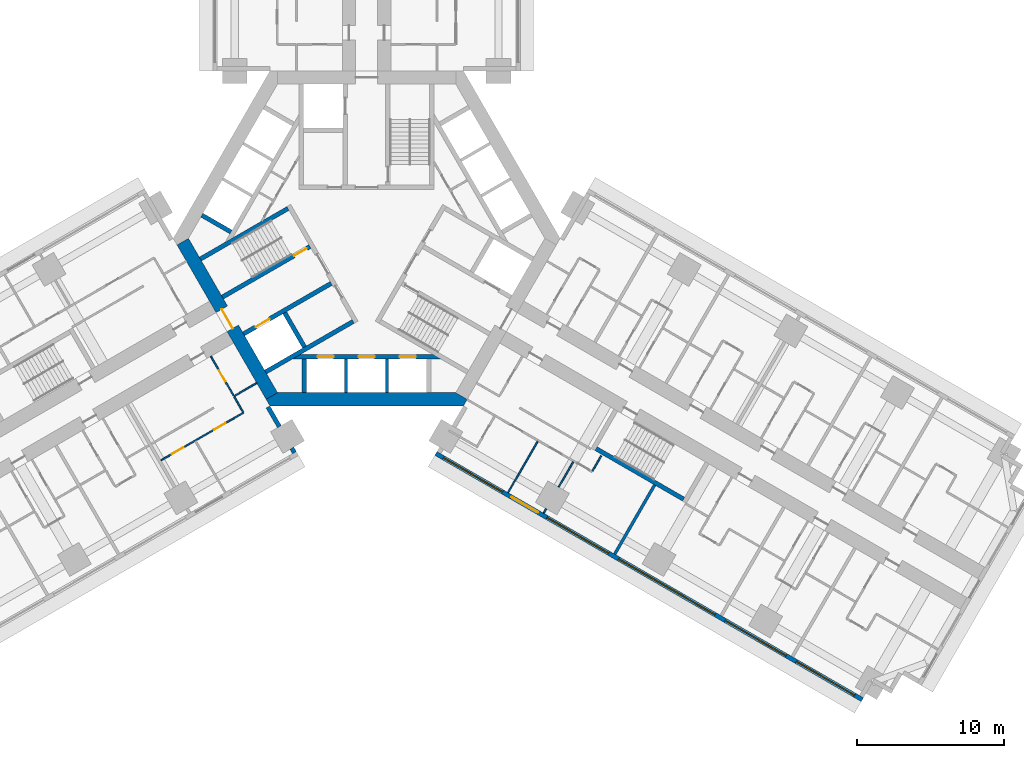
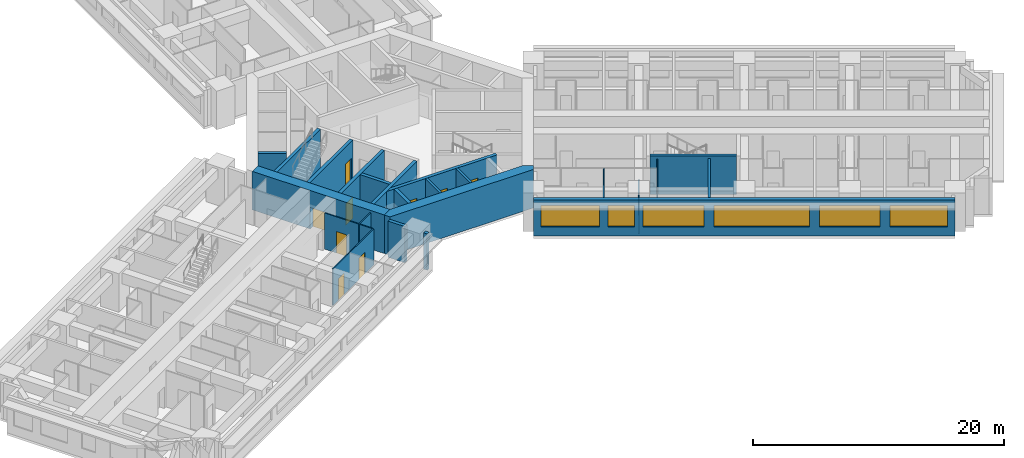
# One storey, part 6 of 16: 25 walls, 9 doors, 6 windows, 15 openings.
"""IFC4 building model written with IfcOpenShell, lengths in metres."""

import ifcopenshell
import ifcopenshell.guid

model = None  # the IFC model being written
_history = None  # IfcOwnerHistory: only IFC2X3 demands one
_inside = {}  # id of a spatial element -> (the spatial element, [elements in it])
_under = {}  # id of a project, library or spatial element -> (it, [spatial elements below it])
_declared = {}  # id of a project -> (the project, [libraries it declares])
_typed = {}  # id of a type object -> (the type object, [elements of that type])
_made_of = {}  # id of a material, layer set ... -> (it, [elements and type objects made of it])


def new_model(schema):
    """Start an empty IFC model of exactly this schema.

    Asked for "IFC4X3", IfcOpenShell would pick the latest addendum, in which some entities
    have other attributes; the version numbers below select the first issue.
    IFC2X3 requires an IfcOwnerHistory on every rooted entity: one is made here for all.
    """
    global model, _history
    if schema == "IFC4X3":
        model = ifcopenshell.file(schema_version=(4, 3, 0, 0))
    else:
        model = ifcopenshell.file(schema=schema)
    _inside.clear()
    _under.clear()
    _declared.clear()
    _typed.clear()
    _made_of.clear()
    _history = None
    if model.schema == "IFC2X3":
        org = make("IfcOrganization", Name="unknown")
        user = make(
            "IfcPersonAndOrganization",
            ThePerson=make("IfcPerson", FamilyName="unknown"),
            TheOrganization=org,
        )
        app = make(
            "IfcApplication",
            ApplicationDeveloper=org,
            Version="unknown",
            ApplicationFullName="unknown",
            ApplicationIdentifier="unknown",
        )
        _history = make(
            "IfcOwnerHistory",
            OwningUser=user,
            OwningApplication=app,
            ChangeAction="ADDED",
            CreationDate=0,
        )
    return model


def make(cls, **values):
    """One entity of the class cls with the attributes given. An attribute that is None is left unset."""
    return model.create_entity(
        cls, **{name: value for name, value in values.items() if value is not None}
    )


def rooted(cls, **values):
    """An entity with a GlobalId (a new one), such as an element, a storey or a relation."""
    return make(cls, GlobalId=ifcopenshell.guid.new(), OwnerHistory=_history, **values)


def si_unit(unit_type, name, prefix=None):
    """IfcSIUnit, for example si_unit("LENGTHUNIT", "METRE", prefix="MILLI")."""
    return make("IfcSIUnit", UnitType=unit_type, Prefix=prefix, Name=name)


def assignment(units):
    """IfcUnitAssignment: the units of a project."""
    return None if units is None else make("IfcUnitAssignment", Units=units)


def point(xyz):
    """IfcCartesianPoint."""
    return None if xyz is None else make("IfcCartesianPoint", Coordinates=xyz)


def direction(xyz):
    """IfcDirection."""
    return None if xyz is None else make("IfcDirection", DirectionRatios=xyz)


def frame(location, z_axis=None, x_axis=None):
    """IfcAxis2Placement3D, a coordinate frame: its origin and axes. An axis left out is left unset."""
    return make(
        "IfcAxis2Placement3D",
        Location=point(location),
        Axis=direction(z_axis),
        RefDirection=direction(x_axis),
    )


def frame_2d(location, x_axis=None):
    """IfcAxis2Placement2D, a coordinate frame in the plane: its origin and x axis."""
    return make(
        "IfcAxis2Placement2D", Location=point(location), RefDirection=direction(x_axis)
    )


def origin():
    """The frame at (0, 0, 0) with its axes left unset."""
    return frame((0.0, 0.0, 0.0))


def place(relative_to, where):
    """IfcLocalPlacement: puts the frame where relative to a parent placement (None: the world)."""
    return make(
        "IfcLocalPlacement", PlacementRelTo=relative_to, RelativePlacement=where
    )


def context(
    kind, dimensions, precision=None, world=None, true_north=None, identifier=None
):
    """IfcGeometricRepresentationContext, for example the 3D "Model" context."""
    return make(
        "IfcGeometricRepresentationContext",
        ContextIdentifier=identifier,
        ContextType=kind,
        CoordinateSpaceDimension=dimensions,
        Precision=precision,
        WorldCoordinateSystem=world,
        TrueNorth=true_north,
    )


def subcontext(parent, identifier, kind, view, scale=None):
    """IfcGeometricRepresentationSubContext, for example "Body" below "Model"."""
    return make(
        "IfcGeometricRepresentationSubContext",
        ContextIdentifier=identifier,
        ContextType=kind,
        ParentContext=parent,
        TargetScale=scale,
        TargetView=view,
    )


def project(units=None, contexts=None):
    """IfcProject with its units and contexts."""
    return rooted(
        "IfcProject",
        Name="project",
        RepresentationContexts=contexts,
        UnitsInContext=assignment(units),
    )


def spatial(cls, under=None, at=None, **own):
    """A site, building, storey or space (cls), placed at a placement, below another one or the project."""
    s = rooted(cls, ObjectPlacement=at, **own)
    if under is not None:
        _under.setdefault(under.id(), (under, []))[1].append(s)
    return s


def polyline(points):
    """IfcPolyline through the points."""
    return make("IfcPolyline", Points=[point(p) for p in points])


def profile(cls, at=None, kind="AREA", **sizes):
    """A parametric profile (cls). Its sizes go by their IFC names, for example OverallWidth=200.0."""
    return make(cls, ProfileType=kind, Position=at, **sizes)


def rectangle(**sizes):
    """IfcRectangleProfileDef."""
    return profile("IfcRectangleProfileDef", **sizes)


def outline(outer, holes=None, kind="AREA"):
    """IfcArbitraryClosedProfileDef: a profile drawn as a closed curve; with holes, ...WithVoids."""
    if holes is None:
        return make("IfcArbitraryClosedProfileDef", ProfileType=kind, OuterCurve=outer)
    return make(
        "IfcArbitraryProfileDefWithVoids",
        ProfileType=kind,
        OuterCurve=outer,
        InnerCurves=holes,
    )


def extrude(swept, where, along, depth):
    """IfcExtrudedAreaSolid: the profile swept, set in the frame where, extruded along a direction by depth."""
    return make(
        "IfcExtrudedAreaSolid",
        SweptArea=swept,
        Position=where,
        ExtrudedDirection=direction(along),
        Depth=depth,
    )


def shape(context_of_items, identifier, shape_type, items):
    """IfcShapeRepresentation: the items that make up one representation, for example the "Body"."""
    return make(
        "IfcShapeRepresentation",
        ContextOfItems=context_of_items,
        RepresentationIdentifier=identifier,
        RepresentationType=shape_type,
        Items=items,
    )


def material(Name=None, Category=None):
    """IfcMaterial."""
    return make("IfcMaterial", Name=Name, Category=Category)


def layer(
    of_material, thickness, ventilated=None, Name=None, Category=None, Priority=None
):
    """IfcMaterialLayer: one layer of a wall or slab, of a material (None: an air gap)."""
    return make(
        "IfcMaterialLayer",
        Material=of_material,
        LayerThickness=thickness,
        IsVentilated=ventilated,
        Name=Name,
        Category=Category,
        Priority=Priority,
    )


def layer_set(layers, Name=None):
    """IfcMaterialLayerSet."""
    return make("IfcMaterialLayerSet", MaterialLayers=layers, LayerSetName=Name)


def made_of(thing, what):
    """Note that an element or type object is made of a material, layer set ...; save() writes the relation."""
    if what is not None:
        _made_of.setdefault(what.id(), (what, []))[1].append(thing)
    return thing


def type_object(cls, material=None, **own):
    """A type object (cls), such as IfcWallType, which elements share."""
    return made_of(rooted(cls, **own), material)


def element(
    cls,
    number,
    at=None,
    inside=None,
    cuts=None,
    type_object=None,
    material=None,
    context=None,
    identifier="Body",
    shape_type=None,
    held_by="IfcProductDefinitionShape",
    body=None,
    shapes=None,
    **own,
):
    """One element of the class cls, such as IfcWall. Its Tag is "e" and its number.

    at: its placement. inside: the storey or other place that contains it. cuts: it is an
    opening in that element (IfcRelVoidsElement). A single representation is given by context,
    identifier, shape_type and body (its items); several are given by shapes. held_by: the class
    of the entity that holds the representations. save() writes the other relations.
    """
    e = rooted(cls, Tag="e%d" % number, ObjectPlacement=at, **own)
    if body is not None:
        shapes = [shape(context, identifier, shape_type, body)]
    if shapes is not None:
        e.Representation = make(held_by, Representations=shapes)
    if inside is not None:
        _inside.setdefault(inside.id(), (inside, []))[1].append(e)
    if cuts is not None:
        rooted(
            "IfcRelVoidsElement", RelatingBuildingElement=cuts, RelatedOpeningElement=e
        )
    if type_object is not None:
        _typed.setdefault(type_object.id(), (type_object, []))[1].append(e)
    return made_of(e, material)


def fill(opening, filler):
    """IfcRelFillsElement: the door or window that sits in an opening."""
    return rooted(
        "IfcRelFillsElement",
        RelatingOpeningElement=opening,
        RelatedBuildingElement=filler,
    )


def aggregate(whole, parts):
    """IfcRelAggregates: a whole, such as a stair, and the parts it consists of."""
    return rooted("IfcRelAggregates", RelatingObject=whole, RelatedObjects=parts)


def save(model, path):
    """Write the relations noted so far, then the file.

    IfcRelAggregates (storeys below a building ...), IfcRelContainedInSpatialStructure (elements
    in a storey), IfcRelDefinesByType, IfcRelAssociatesMaterial and IfcRelDeclares: one each for
    every whole, place, type object, material and project.
    """
    for whole, parts in _under.values():
        aggregate(whole, parts)
    for where, things in _inside.values():
        rooted(
            "IfcRelContainedInSpatialStructure",
            RelatedElements=things,
            RelatingStructure=where,
        )
    for kind, things in _typed.values():
        rooted("IfcRelDefinesByType", RelatedObjects=things, RelatingType=kind)
    for what, things in _made_of.values():
        rooted("IfcRelAssociatesMaterial", RelatedObjects=things, RelatingMaterial=what)
    for by, libraries in _declared.values():
        rooted("IfcRelDeclares", RelatingContext=by, RelatedDefinitions=libraries)
    model.write(path)


model = new_model("IFC4")

# Units and contexts
model_context = context("Model", 3, precision=1e-05, world=origin(), true_north=direction((0.0, 1.0)))
body_context = subcontext(model_context, "Body", "Model", "MODEL_VIEW")
ifc_project = project(units=[si_unit("LENGTHUNIT", "METRE"), si_unit("AREAUNIT", "SQUARE_METRE"), si_unit("VOLUMEUNIT", "CUBIC_METRE"), si_unit("PLANEANGLEUNIT", "RADIAN"), si_unit("MASSUNIT", "GRAM", prefix="KILO")], contexts=[model_context])

# Site, building, storey
site_placement = place(None, origin())
site = spatial("IfcSite", under=ifc_project, at=site_placement, CompositionType="ELEMENT")
building_placement = place(site_placement, origin())
building = spatial("IfcBuilding", under=site, at=building_placement, Name="Impinga Residences", CompositionType="ELEMENT")
storey_placement = place(building_placement, frame((0.0, 0.0, 44.75)))
storey = spatial("IfcBuildingStorey", under=building, at=storey_placement, Name="L10", CompositionType="ELEMENT", Elevation=44.75)

# Wall, openings, windows
ifc_material_1 = material(Name="Terracotta rainscreen on blockwork", Category="masonry")
ifc_layer_1 = layer(ifc_material_1, 0.300048828125)
ifc_layer_set_1 = layer_set([ifc_layer_1], Name="EW1 external wall, terracotta rainscreen on blockwork 300")
wall_type_1 = type_object("IfcWallType", Name="EW1 external wall, terracotta rainscreen on blockwork 300", PredefinedType="SOLIDWALL", material=ifc_layer_set_1)
wall_1_placement = place(storey_placement, frame((33.823486328125, -31.479248046875, 0.0), z_axis=(0.0, 0.0, 1.0), x_axis=(-0.866024291668, 0.500001926238, 0.0)))
wall_1 = element("IfcWall", 1, at=wall_1_placement, inside=storey, type_object=wall_type_1, Name="External wall EW1 L10", PredefinedType="SOLIDWALL", context=body_context, shape_type="SweptSolid", body=[
    extrude(rectangle(XDim=33.599853515625, YDim=0.300048828125, at=frame_2d((16.7998046875, 0.0))), origin(), (0.0, 0.0, 1.0), 3.530029296875),
])
opening_1_placement = place(wall_1_placement, frame((0.60009765625, 0.0, 0.89990234375)))
opening_1 = element("IfcOpeningElement", 2, at=opening_1_placement, cuts=wall_1, Name="Opening W3", PredefinedType="OPENING", context=body_context, shape_type="SweptSolid", body=[
    extrude(rectangle(XDim=4.60009765625, YDim=2.050048828125, at=frame_2d((2.300048828125, 1.02490234375))), frame((0.0, 0.159912109375, 0.0), z_axis=(0.0, -1.0, 0.0), x_axis=(1.0, 0.0, 0.0)), (0.0, 0.0, 1.0), 0.320068359375),
])
opening_2_placement = place(wall_1_placement, frame((6.0, 0.0, 0.89990234375)))
opening_2 = element("IfcOpeningElement", 3, at=opening_2_placement, cuts=wall_1, Name="Opening W8", PredefinedType="OPENING", context=body_context, shape_type="SweptSolid", body=[
    extrude(rectangle(XDim=4.800048828125, YDim=2.050048828125, at=frame_2d((2.39990234375, 1.02490234375))), frame((0.0, 0.159912109375, 0.0), z_axis=(0.0, -1.0, 0.0), x_axis=(1.0, 0.0, 0.0)), (0.0, 0.0, 1.0), 0.320068359375),
])
opening_3_placement = place(wall_1_placement, frame((11.60009765625, 0.0, 0.89990234375)))
opening_3 = element("IfcOpeningElement", 4, at=opening_3_placement, cuts=wall_1, Name="Opening W5", PredefinedType="OPENING", context=body_context, shape_type="SweptSolid", body=[
    extrude(rectangle(XDim=7.60009765625, YDim=2.050048828125, at=frame_2d((3.800048828125, 1.02490234375))), frame((0.0, 0.159912109375, 0.0), z_axis=(0.0, -1.0, 0.0), x_axis=(1.0, 0.0, 0.0)), (0.0, 0.0, 1.0), 0.320068359375),
])
opening_4_placement = place(wall_1_placement, frame((20.0, 0.0, 0.89990234375)))
opening_4 = element("IfcOpeningElement", 5, at=opening_4_placement, cuts=wall_1, Name="Opening W6", PredefinedType="OPENING", context=body_context, shape_type="SweptSolid", body=[
    extrude(rectangle(XDim=4.85009765625, YDim=2.050048828125, at=frame_2d((2.425048828125, 1.02490234375))), frame((0.0, 0.159912109375, 0.0), z_axis=(0.0, -1.0, 0.0), x_axis=(1.0, 0.0, 0.0)), (0.0, 0.0, 1.0), 0.320068359375),
])
opening_5_placement = place(wall_1_placement, frame((25.550048828125, 0.0, 0.89990234375)))
opening_5 = element("IfcOpeningElement", 6, at=opening_5_placement, cuts=wall_1, Name="Opening W9", PredefinedType="OPENING", context=body_context, shape_type="SweptSolid", body=[
    extrude(rectangle(XDim=2.10009765625, YDim=2.050048828125, at=frame_2d((1.050048828125, 1.02490234375))), frame((0.0, 0.159912109375, 0.0), z_axis=(0.0, -1.0, 0.0), x_axis=(1.0, 0.0, 0.0)), (0.0, 0.0, 1.0), 0.320068359375),
])
opening_6_placement = place(wall_1_placement, frame((28.35009765625, 0.0, 0.89990234375)))
opening_6 = element("IfcOpeningElement", 7, at=opening_6_placement, cuts=wall_1, Name="Opening W10", PredefinedType="OPENING", context=body_context, shape_type="SweptSolid", body=[
    extrude(rectangle(XDim=4.64990234375, YDim=2.050048828125, at=frame_2d((2.324951171875, 1.02490234375))), frame((0.0, 0.159912109375, 0.0), z_axis=(0.0, -1.0, 0.0), x_axis=(1.0, 0.0, 0.0)), (0.0, 0.0, 1.0), 0.320068359375),
])
ifc_material_2 = material(Name="Aluminium window, clear double glazing", Category="aluminium")
window_type_1 = type_object("IfcWindowType", Name="W10 ribbon window 4650x2050", PartitioningType="SINGLE_PANEL", PredefinedType="WINDOW", material=ifc_material_2)
window_1_placement = place(opening_6_placement, origin())
window_1 = element("IfcWindow", 8, at=window_1_placement, inside=storey, type_object=window_type_1, Name="Window L10", OverallHeight=2.050048828125, OverallWidth=4.64990234375, PartitioningType="SINGLE_PANEL", PredefinedType="WINDOW", context=body_context, shape_type="SweptSolid", body=[
    extrude(rectangle(XDim=4.64990234375, YDim=2.050048828125, at=frame_2d((2.324951171875, 1.02490234375))), frame((0.0, 0.030029296875, 0.0), z_axis=(0.0, -1.0, 0.0), x_axis=(1.0, 0.0, 0.0)), (0.0, 0.0, 1.0), 0.06005859375),
])
fill(opening_6, window_1)
window_type_2 = type_object("IfcWindowType", Name="W3 ribbon window 4600x2050", PartitioningType="SINGLE_PANEL", PredefinedType="WINDOW", material=ifc_material_2)
window_2_placement = place(opening_1_placement, origin())
window_2 = element("IfcWindow", 9, at=window_2_placement, inside=storey, type_object=window_type_2, Name="Window L10", OverallHeight=2.050048828125, OverallWidth=4.60009765625, PartitioningType="SINGLE_PANEL", PredefinedType="WINDOW", context=body_context, shape_type="SweptSolid", body=[
    extrude(rectangle(XDim=4.60009765625, YDim=2.050048828125, at=frame_2d((2.300048828125, 1.02490234375))), frame((0.0, 0.030029296875, 0.0), z_axis=(0.0, -1.0, 0.0), x_axis=(1.0, 0.0, 0.0)), (0.0, 0.0, 1.0), 0.06005859375),
])
fill(opening_1, window_2)
window_type_3 = type_object("IfcWindowType", Name="W5 ribbon window 7600x2050", PartitioningType="SINGLE_PANEL", PredefinedType="WINDOW", material=ifc_material_2)
window_3_placement = place(opening_3_placement, origin())
window_3 = element("IfcWindow", 10, at=window_3_placement, inside=storey, type_object=window_type_3, Name="Window L10", OverallHeight=2.050048828125, OverallWidth=7.60009765625, PartitioningType="SINGLE_PANEL", PredefinedType="WINDOW", context=body_context, shape_type="SweptSolid", body=[
    extrude(rectangle(XDim=7.60009765625, YDim=2.050048828125, at=frame_2d((3.800048828125, 1.02490234375))), frame((0.0, 0.030029296875, 0.0), z_axis=(0.0, -1.0, 0.0), x_axis=(1.0, 0.0, 0.0)), (0.0, 0.0, 1.0), 0.06005859375),
])
fill(opening_3, window_3)
window_type_4 = type_object("IfcWindowType", Name="W6 ribbon window 4850x2050", PartitioningType="SINGLE_PANEL", PredefinedType="WINDOW", material=ifc_material_2)
window_4_placement = place(opening_4_placement, origin())
window_4 = element("IfcWindow", 11, at=window_4_placement, inside=storey, type_object=window_type_4, Name="Window L10", OverallHeight=2.050048828125, OverallWidth=4.85009765625, PartitioningType="SINGLE_PANEL", PredefinedType="WINDOW", context=body_context, shape_type="SweptSolid", body=[
    extrude(rectangle(XDim=4.85009765625, YDim=2.050048828125, at=frame_2d((2.425048828125, 1.02490234375))), frame((0.0, 0.030029296875, 0.0), z_axis=(0.0, -1.0, 0.0), x_axis=(1.0, 0.0, 0.0)), (0.0, 0.0, 1.0), 0.06005859375),
])
fill(opening_4, window_4)
window_type_5 = type_object("IfcWindowType", Name="W8 ribbon window 4800x2050", PartitioningType="SINGLE_PANEL", PredefinedType="WINDOW", material=ifc_material_2)
window_5_placement = place(opening_2_placement, origin())
window_5 = element("IfcWindow", 12, at=window_5_placement, inside=storey, type_object=window_type_5, Name="Window L10", OverallHeight=2.050048828125, OverallWidth=4.800048828125, PartitioningType="SINGLE_PANEL", PredefinedType="WINDOW", context=body_context, shape_type="SweptSolid", body=[
    extrude(rectangle(XDim=4.800048828125, YDim=2.050048828125, at=frame_2d((2.39990234375, 1.02490234375))), frame((0.0, 0.030029296875, 0.0), z_axis=(0.0, -1.0, 0.0), x_axis=(1.0, 0.0, 0.0)), (0.0, 0.0, 1.0), 0.06005859375),
])
fill(opening_2, window_5)
window_type_6 = type_object("IfcWindowType", Name="W9 ribbon window 2100x2050", PartitioningType="SINGLE_PANEL", PredefinedType="WINDOW", material=ifc_material_2)
window_6_placement = place(opening_5_placement, origin())
window_6 = element("IfcWindow", 13, at=window_6_placement, inside=storey, type_object=window_type_6, Name="Window L10", OverallHeight=2.050048828125, OverallWidth=2.10009765625, PartitioningType="SINGLE_PANEL", PredefinedType="WINDOW", context=body_context, shape_type="SweptSolid", body=[
    extrude(rectangle(XDim=2.10009765625, YDim=2.050048828125, at=frame_2d((1.050048828125, 1.02490234375))), frame((0.0, 0.030029296875, 0.0), z_axis=(0.0, -1.0, 0.0), x_axis=(1.0, 0.0, 0.0)), (0.0, 0.0, 1.0), 0.06005859375),
])
fill(opening_5, window_6)

# Walls
wall_2_placement = place(storey_placement, frame((-6.72998046875, -11.506591796875, 0.0), z_axis=(0.0, 0.0, 1.0), x_axis=(0.500086022567, -0.865975732936, 0.0)))
element("IfcWall", 14, at=wall_2_placement, inside=storey, type_object=wall_type_1, Name="External wall EW1 L10", PredefinedType="SOLIDWALL", context=body_context, shape_type="SweptSolid", body=[
    extrude(rectangle(XDim=1.550048828125, YDim=0.300048828125, at=frame_2d((0.77490234375, 0.0))), origin(), (0.0, 0.0, 1.0), 3.530029296875),
])
wall_3_placement = place(storey_placement, frame((-5.10498046875, -14.321044921875, 0.0), z_axis=(0.0, 0.0, 1.0), x_axis=(0.49996389635, -0.866046247233, 0.0)))
element("IfcWall", 15, at=wall_3_placement, inside=storey, type_object=wall_type_1, Name="External wall EW1 L10", PredefinedType="SOLIDWALL", context=body_context, shape_type="SweptSolid", body=[
    extrude(rectangle(XDim=0.35009765625, YDim=0.300048828125, at=frame_2d((0.175048828125, 0.0))), origin(), (0.0, 0.0, 1.0), 3.530029296875),
])
ifc_material_3 = material(Name="Gypsum board on steel studs", Category="steel")
ifc_layer_2 = layer(ifc_material_3, 0.10009765625)
ifc_layer_set_2 = layer_set([ifc_layer_2], Name="Gypsum board on steel studs")
wall_type_2 = type_object("IfcWallType", Name="IP1 partition 100", PredefinedType="PARTITIONING", material=ifc_layer_set_2)
wall_4_placement = place(storey_placement, frame((-7.5, -9.872802734375, 0.0), z_axis=(0.0, 0.0, 1.0), x_axis=(-0.866047807691, -0.499961193289, 0.0)))
element("IfcWall", 16, at=wall_4_placement, inside=storey, type_object=wall_type_2, Name="Partition L10-WA1:DIV0", PredefinedType="PARTITIONING", context=body_context, shape_type="SweptSolid", body=[
    extrude(rectangle(XDim=1.800048828125, YDim=0.10009765625, at=frame_2d((0.89990234375, 0.0))), origin(), (0.0, 0.0, 1.0), 3.530029296875),
])

# Wall, openings, doors
wall_5_placement = place(storey_placement, frame((-8.408935546875, -11.8984375, 0.0), z_axis=(0.0, 0.0, 1.0), x_axis=(-0.866024837091, -0.50000098154, 0.0)))
wall_5 = element("IfcWall", 17, at=wall_5_placement, inside=storey, type_object=wall_type_2, Name="Partition L10-WA1:STRIP", PredefinedType="PARTITIONING", context=body_context, shape_type="SweptSolid", body=[
    extrude(rectangle(XDim=6.5, YDim=0.10009765625, at=frame_2d((3.25, 0.0))), origin(), (0.0, 0.0, 1.0), 3.530029296875),
])
opening_7_placement = place(wall_5_placement, frame((1.425048828125, 0.0, 0.0)))
opening_7 = element("IfcOpeningElement", 18, at=opening_7_placement, cuts=wall_5, Name="Opening D2", PredefinedType="OPENING", context=body_context, shape_type="SweptSolid", body=[
    extrude(rectangle(XDim=0.89990234375, YDim=2.10009765625, at=frame_2d((0.449951171875, 1.050048828125))), frame((0.0, 0.06005859375, 0.0), z_axis=(0.0, -1.0, 0.0), x_axis=(1.0, 0.0, 0.0)), (0.0, 0.0, 1.0), 0.1201171875),
])
opening_8_placement = place(wall_5_placement, frame((4.72509765625, 0.0, 0.0)))
opening_8 = element("IfcOpeningElement", 19, at=opening_8_placement, cuts=wall_5, Name="Opening D2", PredefinedType="OPENING", context=body_context, shape_type="SweptSolid", body=[
    extrude(rectangle(XDim=0.89990234375, YDim=2.10009765625, at=frame_2d((0.449951171875, 1.050048828125))), frame((0.0, 0.06005859375, 0.0), z_axis=(0.0, -1.0, 0.0), x_axis=(1.0, 0.0, 0.0)), (0.0, 0.0, 1.0), 0.1201171875),
])
ifc_material_4 = material(Name="Timber door set", Category="wood")
door_type_1 = type_object("IfcDoorType", Name="D2 internal door 900x2100", OperationType="SINGLE_SWING_LEFT", PredefinedType="DOOR", material=ifc_material_4)
door_1_placement = place(opening_7_placement, origin())
door_1 = element("IfcDoor", 20, at=door_1_placement, inside=storey, type_object=door_type_1, Name="Apartment L10-WA1 room door", OperationType="SINGLE_SWING_LEFT", OverallHeight=2.10009765625, OverallWidth=0.89990234375, PredefinedType="DOOR", context=body_context, shape_type="SweptSolid", body=[
    extrude(rectangle(XDim=0.89990234375, YDim=2.10009765625, at=frame_2d((0.449951171875, 1.050048828125))), frame((0.0, 0.02490234375, 0.0), z_axis=(0.0, -1.0, 0.0), x_axis=(1.0, 0.0, 0.0)), (0.0, 0.0, 1.0), 0.050048828125),
])
fill(opening_7, door_1)
door_2_placement = place(opening_8_placement, origin())
door_2 = element("IfcDoor", 21, at=door_2_placement, inside=storey, type_object=door_type_1, Name="Apartment L10-WA1 room door", OperationType="SINGLE_SWING_RIGHT", OverallHeight=2.10009765625, OverallWidth=0.89990234375, PredefinedType="DOOR", context=body_context, shape_type="SweptSolid", body=[
    extrude(rectangle(XDim=0.89990234375, YDim=2.10009765625, at=frame_2d((0.449951171875, 1.050048828125))), frame((0.0, 0.02490234375, 0.0), z_axis=(0.0, -1.0, 0.0), x_axis=(1.0, 0.0, 0.0)), (0.0, 0.0, 1.0), 0.050048828125),
])
fill(opening_8, door_2)

# Wall
wall_6_placement = place(storey_placement, frame((-9.033935546875, -10.81591796875, 0.0), z_axis=(0.0, 0.0, 1.0), x_axis=(0.500033551112, -0.866006032174, 0.0)))
element("IfcWall", 22, at=wall_6_placement, inside=storey, type_object=wall_type_2, Name="Partition L10-WA1:SE0", PredefinedType="PARTITIONING", context=body_context, shape_type="SweptSolid", body=[
    extrude(rectangle(XDim=1.2001953125, YDim=0.10009765625, at=frame_2d((0.60009765625, 0.0))), origin(), (0.0, 0.0, 1.0), 3.530029296875),
])

# Wall, opening, door
wall_7_placement = place(storey_placement, frame((-10.6337890625, -8.044677734375, 0.0), z_axis=(0.0, 0.0, 1.0), x_axis=(0.49999285859, -0.86602952684, 0.0)))
wall_7 = element("IfcWall", 23, at=wall_7_placement, inside=storey, type_object=wall_type_2, Name="Partition L10-WA1:IB1", PredefinedType="PARTITIONING", context=body_context, shape_type="SweptSolid", body=[
    extrude(rectangle(XDim=3.10009765625, YDim=0.10009765625, at=frame_2d((1.550048828125, 0.0))), origin(), (0.0, 0.0, 1.0), 3.530029296875),
])
opening_9_placement = place(wall_7_placement, frame((1.10009765625, 0.0, 0.0)))
opening_9 = element("IfcOpeningElement", 24, at=opening_9_placement, cuts=wall_7, Name="Opening D2", PredefinedType="OPENING", context=body_context, shape_type="SweptSolid", body=[
    extrude(rectangle(XDim=0.89990234375, YDim=2.10009765625, at=frame_2d((0.449951171875, 1.050048828125))), frame((0.0, 0.06005859375, 0.0), z_axis=(0.0, -1.0, 0.0), x_axis=(1.0, 0.0, 0.0)), (0.0, 0.0, 1.0), 0.1201171875),
])
door_3_placement = place(opening_9_placement, origin())
door_3 = element("IfcDoor", 25, at=door_3_placement, inside=storey, type_object=door_type_1, Name="Apartment L10-WA1 bathroom door", OperationType="SINGLE_SWING_LEFT", OverallHeight=2.10009765625, OverallWidth=0.89990234375, PredefinedType="DOOR", context=body_context, shape_type="SweptSolid", body=[
    extrude(rectangle(XDim=0.89990234375, YDim=2.10009765625, at=frame_2d((0.449951171875, 1.050048828125))), frame((0.0, 0.02490234375, 0.0), z_axis=(0.0, -1.0, 0.0), x_axis=(1.0, 0.0, 0.0)), (0.0, 0.0, 1.0), 0.050048828125),
])
fill(opening_9, door_3)

# Walls
wall_8_placement = place(storey_placement, frame((16.00537109375, -14.841064453125, 0.0), z_axis=(0.0, 0.0, 1.0), x_axis=(-0.50012165622, -0.865955154139, 0.0)))
element("IfcWall", 26, at=wall_8_placement, inside=storey, type_object=wall_type_2, Name="Partition L10-EF1:SE1", PredefinedType="PARTITIONING", context=body_context, shape_type="SweptSolid", body=[
    extrude(rectangle(XDim=1.199951171875, YDim=0.10009765625, at=frame_2d((0.60009765625, 0.0))), origin(), (0.0, 0.0, 1.0), 3.530029296875),
])
wall_9_placement = place(storey_placement, frame((11.6748046875, -13.841796875, 0.0), z_axis=(0.0, 0.0, 1.0), x_axis=(-0.500035537042, -0.866004885491, 0.0)))
element("IfcWall", 27, at=wall_9_placement, inside=storey, type_object=wall_type_2, Name="Partition L10-EF1:OB1", PredefinedType="PARTITIONING", context=body_context, shape_type="SweptSolid", body=[
    extrude(rectangle(XDim=4.050048828125, YDim=0.10009765625, at=frame_2d((2.02490234375, 0.0))), origin(), (0.0, 0.0, 1.0), 3.530029296875),
])
wall_10_placement = place(storey_placement, frame((14.099609375, -15.241943359375, 0.0), z_axis=(0.0, 0.0, 1.0), x_axis=(-0.50002537861, -0.866010750942, 0.0)))
element("IfcWall", 28, at=wall_10_placement, inside=storey, type_object=wall_type_2, Name="Partition L10-EF1:OB2", PredefinedType="PARTITIONING", context=body_context, shape_type="SweptSolid", body=[
    extrude(rectangle(XDim=2.0, YDim=0.10009765625, at=frame_2d((1.0, 0.0))), origin(), (0.0, 0.0, 1.0), 2.47998046875),
])
wall_11_placement = place(storey_placement, frame((12.24951171875, -18.446044921875, 0.0), z_axis=(0.0, 0.0, 1.0), x_axis=(-0.499440622861, -0.866348119543, 0.0)))
element("IfcWall", 29, at=wall_11_placement, inside=storey, type_object=wall_type_2, Name="Partition L10-EF1:OB2b", PredefinedType="PARTITIONING", context=body_context, shape_type="SweptSolid", body=[
    extrude(rectangle(XDim=0.35009765625, YDim=0.10009765625, at=frame_2d((0.175048828125, 0.0))), origin(), (0.0, 0.0, 1.0), 3.530029296875),
])
ifc_material_5 = material(Name="Concrete blockwork", Category="masonry")
ifc_layer_3 = layer(ifc_material_5, 0.199951171875)
ifc_layer_set_3 = layer_set([ifc_layer_3], Name="PW1 party wall between apartments 200")
wall_type_3 = type_object("IfcWallType", Name="PW1 party wall between apartments 200", PredefinedType="SOLIDWALL", material=ifc_layer_set_3)
wall_12_placement = place(storey_placement, frame((19.6494140625, -16.829345703125, 0.0), z_axis=(0.0, 0.0, 1.0), x_axis=(-0.500002931134, -0.866023711487, 0.0)))
element("IfcWall", 30, at=wall_12_placement, inside=storey, type_object=wall_type_3, Name="Party wall between apartments L10-EF1:PARTY", PredefinedType="SOLIDWALL", context=body_context, shape_type="SweptSolid", body=[
    extrude(rectangle(XDim=5.4501953125, YDim=0.199951171875, at=frame_2d((2.72509765625, 0.0))), origin(), (0.0, 0.0, 1.0), 3.530029296875),
])
ifc_material_6 = material(Name="Concrete C60/75", Category="concrete")
ifc_layer_4 = layer(ifc_material_6, 0.300048828125)
ifc_layer_set_4 = layer_set([ifc_layer_4], Name="Concrete C60/75")
wall_type_4 = type_object("IfcWallType", Name="SE1 wing stair enclosure wall 300", PredefinedType="SOLIDWALL", material=ifc_layer_set_4)
wall_13_placement = place(storey_placement, frame((15.654052734375, -14.349365234375, 0.0), z_axis=(0.0, 0.0, 1.0), x_axis=(0.866013532718, -0.500020560727, 0.0)))
element("IfcWall", 31, at=wall_13_placement, inside=storey, type_object=wall_type_4, Name="Stair enclosure wall SE1 E OUT L10", PredefinedType="SOLIDWALL", context=body_context, shape_type="SweptSolid", body=[
    extrude(rectangle(XDim=6.900146484375, YDim=0.300048828125, at=frame_2d((3.4501953125, 0.0))), origin(), (0.0, 0.0, 1.0), 3.75),
])

# Wall, opening, door
ifc_material_7 = material(Name="Concrete C70/85", Category="concrete")
ifc_layer_5 = layer(ifc_material_7, 0.89990234375)
ifc_layer_set_5 = layer_set([ifc_layer_5], Name="Concrete C70/85")
wall_type_5 = type_object("IfcWallType", Name="SW1 core wall 900", PredefinedType="SHEAR", material=ifc_layer_set_5)
wall_14_placement = place(storey_placement, frame((-6.47021484375, -10.756591796875, 0.0), z_axis=(0.0, 0.0, 1.0), x_axis=(-0.499997612506, 0.8660267822, 0.0)))
wall_14 = element("IfcWall", 32, at=wall_14_placement, inside=storey, type_object=wall_type_5, Name="Core wall SW1 W:FACE L10", PredefinedType="SHEAR", context=body_context, shape_type="SweptSolid", body=[
    extrude(rectangle(XDim=12.16064453125, YDim=0.89990234375, at=frame_2d((6.080322265625, 0.0))), origin(), (0.0, 0.0, 1.0), 3.75),
])
opening_10_placement = place(wall_14_placement, frame((5.330322265625, 0.0, 0.0)))
opening_10 = element("IfcOpeningElement", 33, at=opening_10_placement, cuts=wall_14, Name="Opening D4", PredefinedType="OPENING", context=body_context, shape_type="SweptSolid", body=[
    extrude(rectangle(XDim=1.5, YDim=2.10009765625, at=frame_2d((0.75, 1.050048828125))), frame((0.0, 0.4599609375, 0.0), z_axis=(0.0, -1.0, 0.0), x_axis=(1.0, 0.0, 0.0)), (0.0, 0.0, 1.0), 0.919921875),
])
door_type_2 = type_object("IfcDoorType", Name="D4 lobby door pair 1500x2100", OperationType="DOUBLE_DOOR_DOUBLE_SWING", PredefinedType="DOOR", material=ifc_material_4)
door_4_placement = place(opening_10_placement, origin())
door_4 = element("IfcDoor", 34, at=door_4_placement, inside=storey, type_object=door_type_2, Name="Lobby door W", OperationType="DOUBLE_DOOR_DOUBLE_SWING", OverallHeight=2.10009765625, OverallWidth=1.5, PredefinedType="DOOR", context=body_context, shape_type="SweptSolid", body=[
    extrude(rectangle(XDim=1.5, YDim=2.10009765625, at=frame_2d((0.75, 1.050048828125))), frame((0.0, 0.02490234375, 0.0), z_axis=(0.0, -1.0, 0.0), x_axis=(1.0, 0.0, 0.0)), (0.0, 0.0, 1.0), 0.050048828125),
])
fill(opening_10, door_4)

# Wall
wall_15_placement = place(storey_placement, origin())
element("IfcWall", 35, at=wall_15_placement, inside=storey, type_object=wall_type_5, Name="Core wall SW1 N:EXPOSED L10", PredefinedType="SHEAR", context=body_context, shape_type="SweptSolid", body=[
    extrude(outline(polyline([(-6.60009765625, -11.431640625), (6.60009765625, -11.431640625), (6.85986328125, -10.9814453125), (6.080322265625, -10.531494140625), (-6.080322265625, -10.531494140625), (-6.85986328125, -10.9814453125), (-6.60009765625, -11.431640625)])), origin(), (0.0, 0.0, 1.0), 3.75),
])

# Wall, opening, door
ifc_layer_6 = layer(ifc_material_7, 0.300048828125)
ifc_layer_set_6 = layer_set([ifc_layer_6], Name="Concrete C70/85")
wall_type_6 = type_object("IfcWallType", Name="SW5 core inner wall, stairs, shafts and lobbies 300", PredefinedType="SHEAR", material=ifc_layer_set_6)
wall_16_placement = place(storey_placement, frame((-3.86865234375, -0.559326171875, 0.0), z_axis=(0.0, 0.0, 1.0), x_axis=(-0.86602711848, -0.499997030048, 0.0)))
wall_16 = element("IfcWall", 36, at=wall_16_placement, inside=storey, type_object=wall_type_6, Name="Core wall SW5 W:ST-IN L10", PredefinedType="SHEAR", context=body_context, shape_type="SweptSolid", body=[
    extrude(rectangle(XDim=6.9013671875, YDim=0.300048828125, at=frame_2d((3.45068359375, 0.0))), origin(), (0.0, 0.0, 1.0), 3.75),
])
opening_11_placement = place(wall_16_placement, frame((0.25, 0.0, 0.0)))
opening_11 = element("IfcOpeningElement", 37, at=opening_11_placement, cuts=wall_16, Name="Opening D5", PredefinedType="OPENING", context=body_context, shape_type="SweptSolid", body=[
    extrude(rectangle(XDim=1.0, YDim=2.10009765625, at=frame_2d((0.5, 1.050048828125))), frame((0.0, 0.159912109375, 0.0), z_axis=(0.0, -1.0, 0.0), x_axis=(1.0, 0.0, 0.0)), (0.0, 0.0, 1.0), 0.320068359375),
])
door_type_3 = type_object("IfcDoorType", Name="D5 stair door 1000x2100", OperationType="SINGLE_SWING_LEFT", PredefinedType="DOOR", material=ifc_material_4)
door_5_placement = place(opening_11_placement, origin())
door_5 = element("IfcDoor", 38, at=door_5_placement, inside=storey, type_object=door_type_3, Name="Stair door W", OperationType="SINGLE_SWING_LEFT", OverallHeight=2.10009765625, OverallWidth=1.0, PredefinedType="DOOR", context=body_context, shape_type="SweptSolid", body=[
    extrude(rectangle(XDim=1.0, YDim=2.10009765625, at=frame_2d((0.5, 1.050048828125))), frame((0.0, 0.02490234375, 0.0), z_axis=(0.0, -1.0, 0.0), x_axis=(1.0, 0.0, 0.0)), (0.0, 0.0, 1.0), 0.050048828125),
])
fill(opening_11, door_5)

# Wall
wall_17_placement = place(storey_placement, frame((-5.36865234375, 2.038818359375, 0.0), z_axis=(0.0, 0.0, 1.0), x_axis=(-0.86602711848, -0.499997030048, 0.0)))
element("IfcWall", 39, at=wall_17_placement, inside=storey, type_object=wall_type_6, Name="Core wall SW5 W:ST-OUT L10", PredefinedType="SHEAR", context=body_context, shape_type="SweptSolid", body=[
    extrude(rectangle(XDim=6.9013671875, YDim=0.300048828125, at=frame_2d((3.45068359375, 0.0))), origin(), (0.0, 0.0, 1.0), 3.75),
])

# Wall, opening, door
wall_18_placement = place(storey_placement, frame((-2.418701171875, -3.07080078125, 0.0), z_axis=(0.0, 0.0, 1.0), x_axis=(-0.86602711848, -0.499997030048, 0.0)))
wall_18 = element("IfcWall", 40, at=wall_18_placement, inside=storey, type_object=wall_type_6, Name="Core wall SW5 W:FF-IN L10", PredefinedType="SHEAR", context=body_context, shape_type="SweptSolid", body=[
    extrude(rectangle(XDim=6.9013671875, YDim=0.300048828125, at=frame_2d((3.45068359375, 0.0))), origin(), (0.0, 0.0, 1.0), 3.75),
])
opening_12_placement = place(wall_18_placement, frame((4.85009765625, 0.0, 0.0)))
opening_12 = element("IfcOpeningElement", 41, at=opening_12_placement, cuts=wall_18, Name="Opening LD2", PredefinedType="OPENING", context=body_context, shape_type="SweptSolid", body=[
    extrude(rectangle(XDim=1.10009765625, YDim=2.10009765625, at=frame_2d((0.550048828125, 1.050048828125))), frame((0.0, 0.159912109375, 0.0), z_axis=(0.0, -1.0, 0.0), x_axis=(1.0, 0.0, 0.0)), (0.0, 0.0, 1.0), 0.320068359375),
])
ifc_material_8 = material(Name="Steel lift landing door", Category="steel")
door_type_4 = type_object("IfcDoorType", Name="LD2 firefighting lift landing door 1100x2100", OperationType="DOUBLE_DOOR_SLIDING", PredefinedType="DOOR", material=ifc_material_8)
door_6_placement = place(opening_12_placement, origin())
door_6 = element("IfcDoor", 42, at=door_6_placement, inside=storey, type_object=door_type_4, Name="Firefighting lift landing door F2", OperationType="DOUBLE_DOOR_SLIDING", OverallHeight=2.10009765625, OverallWidth=1.10009765625, PredefinedType="DOOR", context=body_context, shape_type="SweptSolid", body=[
    extrude(rectangle(XDim=1.10009765625, YDim=2.10009765625, at=frame_2d((0.550048828125, 1.050048828125))), frame((0.0, 0.02490234375, 0.0), z_axis=(0.0, -1.0, 0.0), x_axis=(1.0, 0.0, 0.0)), (0.0, 0.0, 1.0), 0.050048828125),
])
fill(opening_12, door_6)

# Walls
wall_19_placement = place(storey_placement, frame((-0.918701171875, -5.668701171875, 0.0), z_axis=(0.0, 0.0, 1.0), x_axis=(-0.866011800373, -0.500023561059, 0.0)))
element("IfcWall", 43, at=wall_19_placement, inside=storey, type_object=wall_type_6, Name="Core wall SW5 W:FF-OUT L10", PredefinedType="SHEAR", context=body_context, shape_type="SweptSolid", body=[
    extrude(rectangle(XDim=6.901611328125, YDim=0.300048828125, at=frame_2d((3.45068359375, 0.0))), origin(), (0.0, 0.0, 1.0), 3.75),
])
wall_20_placement = place(storey_placement, frame((-4.2412109375, -7.413818359375, 0.0), z_axis=(0.0, 0.0, 1.0), x_axis=(-0.500048589285, 0.86599734893, 0.0)))
element("IfcWall", 44, at=wall_20_placement, inside=storey, type_object=wall_type_6, Name="Core wall SW5 W:FF-RS L10", PredefinedType="SHEAR", context=body_context, shape_type="SweptSolid", body=[
    extrude(rectangle(XDim=2.699951171875, YDim=0.300048828125, at=frame_2d((1.35009765625, 0.0))), origin(), (0.0, 0.0, 1.0), 3.75),
])

# Wall, openings, doors
wall_21_placement = place(storey_placement, frame((5.09765625, -8.08154296875, 0.0), z_axis=(0.0, 0.0, 1.0), x_axis=(-1.0, 0.0, 0.0)))
wall_21 = element("IfcWall", 45, at=wall_21_placement, inside=storey, type_object=wall_type_6, Name="Core wall SW5 N:BANK-FRONT L10", PredefinedType="SHEAR", context=body_context, shape_type="SweptSolid", body=[
    extrude(rectangle(XDim=10.1953125, YDim=0.300048828125, at=frame_2d((5.09765625, 0.0))), origin(), (0.0, 0.0, 1.0), 3.75),
])
opening_13_placement = place(wall_21_placement, frame((1.74755859375, 0.0, 0.0)))
opening_13 = element("IfcOpeningElement", 46, at=opening_13_placement, cuts=wall_21, Name="Opening LD1", PredefinedType="OPENING", context=body_context, shape_type="SweptSolid", body=[
    extrude(rectangle(XDim=1.10009765625, YDim=2.10009765625, at=frame_2d((0.550048828125, 1.050048828125))), frame((0.0, 0.159912109375, 0.0), z_axis=(0.0, -1.0, 0.0), x_axis=(1.0, 0.0, 0.0)), (0.0, 0.0, 1.0), 0.320068359375),
])
opening_14_placement = place(wall_21_placement, frame((4.547607421875, 0.0, 0.0)))
opening_14 = element("IfcOpeningElement", 47, at=opening_14_placement, cuts=wall_21, Name="Opening LD1", PredefinedType="OPENING", context=body_context, shape_type="SweptSolid", body=[
    extrude(rectangle(XDim=1.10009765625, YDim=2.10009765625, at=frame_2d((0.550048828125, 1.050048828125))), frame((0.0, 0.159912109375, 0.0), z_axis=(0.0, -1.0, 0.0), x_axis=(1.0, 0.0, 0.0)), (0.0, 0.0, 1.0), 0.320068359375),
])
opening_15_placement = place(wall_21_placement, frame((7.34765625, 0.0, 0.0)))
opening_15 = element("IfcOpeningElement", 48, at=opening_15_placement, cuts=wall_21, Name="Opening LD1", PredefinedType="OPENING", context=body_context, shape_type="SweptSolid", body=[
    extrude(rectangle(XDim=1.10009765625, YDim=2.10009765625, at=frame_2d((0.550048828125, 1.050048828125))), frame((0.0, 0.159912109375, 0.0), z_axis=(0.0, -1.0, 0.0), x_axis=(1.0, 0.0, 0.0)), (0.0, 0.0, 1.0), 0.320068359375),
])
door_type_5 = type_object("IfcDoorType", Name="LD1 passenger lift landing door 1100x2100", OperationType="DOUBLE_DOOR_SLIDING", PredefinedType="DOOR", material=ifc_material_8)
door_7_placement = place(opening_13_placement, origin())
door_7 = element("IfcDoor", 49, at=door_7_placement, inside=storey, type_object=door_type_5, Name="Lift landing door P1", OperationType="DOUBLE_DOOR_SLIDING", OverallHeight=2.10009765625, OverallWidth=1.10009765625, PredefinedType="DOOR", context=body_context, shape_type="SweptSolid", body=[
    extrude(rectangle(XDim=1.10009765625, YDim=2.10009765625, at=frame_2d((0.550048828125, 1.050048828125))), frame((0.0, 0.02490234375, 0.0), z_axis=(0.0, -1.0, 0.0), x_axis=(1.0, 0.0, 0.0)), (0.0, 0.0, 1.0), 0.050048828125),
])
fill(opening_13, door_7)
door_8_placement = place(opening_14_placement, origin())
door_8 = element("IfcDoor", 50, at=door_8_placement, inside=storey, type_object=door_type_5, Name="Lift landing door P2", OperationType="DOUBLE_DOOR_SLIDING", OverallHeight=2.10009765625, OverallWidth=1.10009765625, PredefinedType="DOOR", context=body_context, shape_type="SweptSolid", body=[
    extrude(rectangle(XDim=1.10009765625, YDim=2.10009765625, at=frame_2d((0.550048828125, 1.050048828125))), frame((0.0, 0.02490234375, 0.0), z_axis=(0.0, -1.0, 0.0), x_axis=(1.0, 0.0, 0.0)), (0.0, 0.0, 1.0), 0.050048828125),
])
fill(opening_14, door_8)
door_9_placement = place(opening_15_placement, origin())
door_9 = element("IfcDoor", 51, at=door_9_placement, inside=storey, type_object=door_type_5, Name="Lift landing door P3", OperationType="DOUBLE_DOOR_SLIDING", OverallHeight=2.10009765625, OverallWidth=1.10009765625, PredefinedType="DOOR", context=body_context, shape_type="SweptSolid", body=[
    extrude(rectangle(XDim=1.10009765625, YDim=2.10009765625, at=frame_2d((0.550048828125, 1.050048828125))), frame((0.0, 0.02490234375, 0.0), z_axis=(0.0, -1.0, 0.0), x_axis=(1.0, 0.0, 0.0)), (0.0, 0.0, 1.0), 0.050048828125),
])
fill(opening_15, door_9)

# Walls
for number, where, z_axis, x_axis, name in (
    (52, (-4.25, -8.2314453125, 0.0), (0.0, 0.0, 1.0), (0.0, -1.0, 0.0), "Core wall SW5 N:BANK-R L10"),
    (53, (-9.253662109375, 0.43505859375, 0.0), (0.0, 0.0, 1.0), (-0.866007057882, 0.500031774688, 0.0), "Core wall SW5 E:BANK-L L10"),
):
    element("IfcWall", number, at=place(storey_placement, frame(where, z_axis=z_axis, x_axis=x_axis)), inside=storey, type_object=wall_type_6, Name=name, PredefinedType="SHEAR", context=body_context, shape_type="SweptSolid", body=[
        extrude(rectangle(XDim=2.300048828125, YDim=0.300048828125, at=frame_2d((1.14990234375, 0.0))), origin(), (0.0, 0.0, 1.0), 3.75),
    ])
ifc_layer_7 = layer(ifc_material_7, 0.199951171875)
ifc_layer_set_7 = layer_set([ifc_layer_7], Name="Concrete C70/85")
wall_type_7 = type_object("IfcWallType", Name="SW6 lift shaft divider wall 200", PredefinedType="SHEAR", material=ifc_layer_set_7)
for number, where, z_axis, x_axis, name in (
    (54, (1.39990234375, -8.2314453125, 0.0), (0.0, 0.0, 1.0), (0.0, -1.0, 0.0), "Core wall SW6 N:BANK-D1 L10"),
    (55, (-1.39990234375, -8.2314453125, 0.0), (0.0, 0.0, 1.0), (0.0, -1.0, 0.0), "Core wall SW6 N:BANK-D2 L10"),
):
    element("IfcWall", number, at=place(storey_placement, frame(where, z_axis=z_axis, x_axis=x_axis)), inside=storey, type_object=wall_type_7, Name=name, PredefinedType="SHEAR", context=body_context, shape_type="SweptSolid", body=[
        extrude(rectangle(XDim=2.300048828125, YDim=0.199951171875, at=frame_2d((1.14990234375, 0.0))), origin(), (0.0, 0.0, 1.0), 3.75),
    ])

save(model, "model.ifc")
